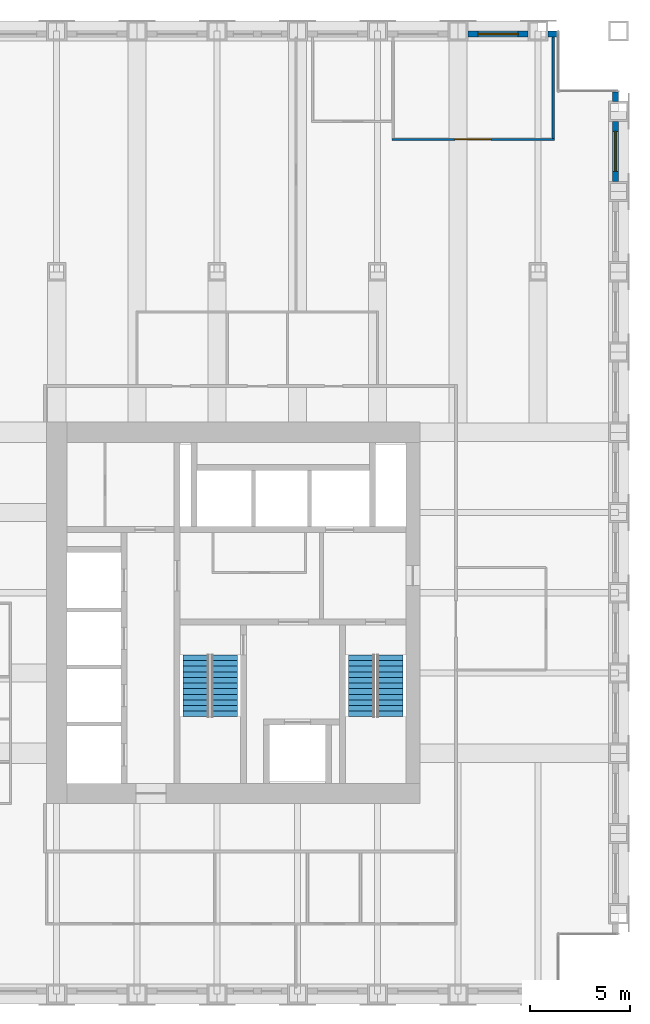
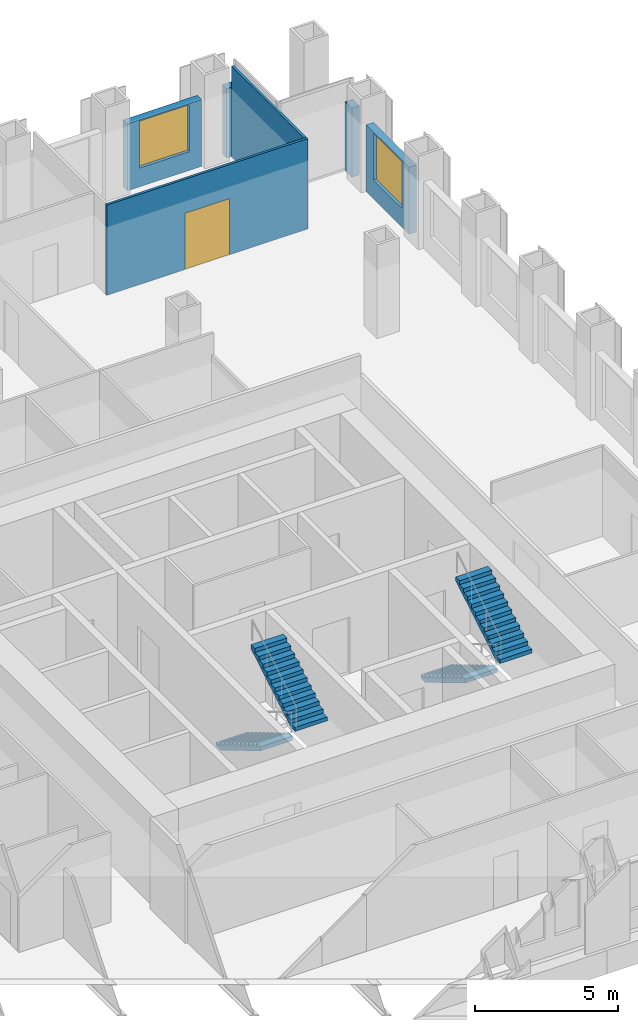
# One storey, part 12 of 13: 6 walls, 4 stair flights, 2 windows, 1 door, 3 openings, 2 elements without a shape of their own.
"""IFC4 building model written with IfcOpenShell, lengths in metres."""

import ifcopenshell
import ifcopenshell.guid

model = None  # the IFC model being written
_history = None  # IfcOwnerHistory: only IFC2X3 demands one
_inside = {}  # id of a spatial element -> (the spatial element, [elements in it])
_under = {}  # id of a project, library or spatial element -> (it, [spatial elements below it])
_declared = {}  # id of a project -> (the project, [libraries it declares])
_typed = {}  # id of a type object -> (the type object, [elements of that type])
_made_of = {}  # id of a material, layer set ... -> (it, [elements and type objects made of it])


def new_model(schema):
    """Start an empty IFC model of exactly this schema.

    Asked for "IFC4X3", IfcOpenShell would pick the latest addendum, in which some entities
    have other attributes; the version numbers below select the first issue.
    IFC2X3 requires an IfcOwnerHistory on every rooted entity: one is made here for all.
    """
    global model, _history
    if schema == "IFC4X3":
        model = ifcopenshell.file(schema_version=(4, 3, 0, 0))
    else:
        model = ifcopenshell.file(schema=schema)
    _inside.clear()
    _under.clear()
    _declared.clear()
    _typed.clear()
    _made_of.clear()
    _history = None
    if model.schema == "IFC2X3":
        org = make("IfcOrganization", Name="unknown")
        user = make(
            "IfcPersonAndOrganization",
            ThePerson=make("IfcPerson", FamilyName="unknown"),
            TheOrganization=org,
        )
        app = make(
            "IfcApplication",
            ApplicationDeveloper=org,
            Version="unknown",
            ApplicationFullName="unknown",
            ApplicationIdentifier="unknown",
        )
        _history = make(
            "IfcOwnerHistory",
            OwningUser=user,
            OwningApplication=app,
            ChangeAction="ADDED",
            CreationDate=0,
        )
    return model


def make(cls, **values):
    """One entity of the class cls with the attributes given. An attribute that is None is left unset."""
    return model.create_entity(
        cls, **{name: value for name, value in values.items() if value is not None}
    )


def rooted(cls, **values):
    """An entity with a GlobalId (a new one), such as an element, a storey or a relation."""
    return make(cls, GlobalId=ifcopenshell.guid.new(), OwnerHistory=_history, **values)


def si_unit(unit_type, name, prefix=None):
    """IfcSIUnit, for example si_unit("LENGTHUNIT", "METRE", prefix="MILLI")."""
    return make("IfcSIUnit", UnitType=unit_type, Prefix=prefix, Name=name)


def assignment(units):
    """IfcUnitAssignment: the units of a project."""
    return None if units is None else make("IfcUnitAssignment", Units=units)


def point(xyz):
    """IfcCartesianPoint."""
    return None if xyz is None else make("IfcCartesianPoint", Coordinates=xyz)


def direction(xyz):
    """IfcDirection."""
    return None if xyz is None else make("IfcDirection", DirectionRatios=xyz)


def frame(location, z_axis=None, x_axis=None):
    """IfcAxis2Placement3D, a coordinate frame: its origin and axes. An axis left out is left unset."""
    return make(
        "IfcAxis2Placement3D",
        Location=point(location),
        Axis=direction(z_axis),
        RefDirection=direction(x_axis),
    )


def frame_2d(location, x_axis=None):
    """IfcAxis2Placement2D, a coordinate frame in the plane: its origin and x axis."""
    return make(
        "IfcAxis2Placement2D", Location=point(location), RefDirection=direction(x_axis)
    )


def origin():
    """The frame at (0, 0, 0) with its axes left unset."""
    return frame((0.0, 0.0, 0.0))


def place(relative_to, where):
    """IfcLocalPlacement: puts the frame where relative to a parent placement (None: the world)."""
    return make(
        "IfcLocalPlacement", PlacementRelTo=relative_to, RelativePlacement=where
    )


def context(
    kind, dimensions, precision=None, world=None, true_north=None, identifier=None
):
    """IfcGeometricRepresentationContext, for example the 3D "Model" context."""
    return make(
        "IfcGeometricRepresentationContext",
        ContextIdentifier=identifier,
        ContextType=kind,
        CoordinateSpaceDimension=dimensions,
        Precision=precision,
        WorldCoordinateSystem=world,
        TrueNorth=true_north,
    )


def subcontext(parent, identifier, kind, view, scale=None):
    """IfcGeometricRepresentationSubContext, for example "Body" below "Model"."""
    return make(
        "IfcGeometricRepresentationSubContext",
        ContextIdentifier=identifier,
        ContextType=kind,
        ParentContext=parent,
        TargetScale=scale,
        TargetView=view,
    )


def project(units=None, contexts=None):
    """IfcProject with its units and contexts."""
    return rooted(
        "IfcProject",
        Name="project",
        RepresentationContexts=contexts,
        UnitsInContext=assignment(units),
    )


def spatial(cls, under=None, at=None, **own):
    """A site, building, storey or space (cls), placed at a placement, below another one or the project."""
    s = rooted(cls, ObjectPlacement=at, **own)
    if under is not None:
        _under.setdefault(under.id(), (under, []))[1].append(s)
    return s


def polyline(points):
    """IfcPolyline through the points."""
    return make("IfcPolyline", Points=[point(p) for p in points])


def profile(cls, at=None, kind="AREA", **sizes):
    """A parametric profile (cls). Its sizes go by their IFC names, for example OverallWidth=200.0."""
    return make(cls, ProfileType=kind, Position=at, **sizes)


def rectangle(**sizes):
    """IfcRectangleProfileDef."""
    return profile("IfcRectangleProfileDef", **sizes)


def outline(outer, holes=None, kind="AREA"):
    """IfcArbitraryClosedProfileDef: a profile drawn as a closed curve; with holes, ...WithVoids."""
    if holes is None:
        return make("IfcArbitraryClosedProfileDef", ProfileType=kind, OuterCurve=outer)
    return make(
        "IfcArbitraryProfileDefWithVoids",
        ProfileType=kind,
        OuterCurve=outer,
        InnerCurves=holes,
    )


def extrude(swept, where, along, depth):
    """IfcExtrudedAreaSolid: the profile swept, set in the frame where, extruded along a direction by depth."""
    return make(
        "IfcExtrudedAreaSolid",
        SweptArea=swept,
        Position=where,
        ExtrudedDirection=direction(along),
        Depth=depth,
    )


def shape(context_of_items, identifier, shape_type, items):
    """IfcShapeRepresentation: the items that make up one representation, for example the "Body"."""
    return make(
        "IfcShapeRepresentation",
        ContextOfItems=context_of_items,
        RepresentationIdentifier=identifier,
        RepresentationType=shape_type,
        Items=items,
    )


def material(Name=None, Category=None):
    """IfcMaterial."""
    return make("IfcMaterial", Name=Name, Category=Category)


def layer(
    of_material, thickness, ventilated=None, Name=None, Category=None, Priority=None
):
    """IfcMaterialLayer: one layer of a wall or slab, of a material (None: an air gap)."""
    return make(
        "IfcMaterialLayer",
        Material=of_material,
        LayerThickness=thickness,
        IsVentilated=ventilated,
        Name=Name,
        Category=Category,
        Priority=Priority,
    )


def layer_set(layers, Name=None):
    """IfcMaterialLayerSet."""
    return make("IfcMaterialLayerSet", MaterialLayers=layers, LayerSetName=Name)


def made_of(thing, what):
    """Note that an element or type object is made of a material, layer set ...; save() writes the relation."""
    if what is not None:
        _made_of.setdefault(what.id(), (what, []))[1].append(thing)
    return thing


def type_object(cls, material=None, **own):
    """A type object (cls), such as IfcWallType, which elements share."""
    return made_of(rooted(cls, **own), material)


def element(
    cls,
    number,
    at=None,
    inside=None,
    cuts=None,
    type_object=None,
    material=None,
    context=None,
    identifier="Body",
    shape_type=None,
    held_by="IfcProductDefinitionShape",
    body=None,
    shapes=None,
    **own,
):
    """One element of the class cls, such as IfcWall. Its Tag is "e" and its number.

    at: its placement. inside: the storey or other place that contains it. cuts: it is an
    opening in that element (IfcRelVoidsElement). A single representation is given by context,
    identifier, shape_type and body (its items); several are given by shapes. held_by: the class
    of the entity that holds the representations. save() writes the other relations.
    """
    e = rooted(cls, Tag="e%d" % number, ObjectPlacement=at, **own)
    if body is not None:
        shapes = [shape(context, identifier, shape_type, body)]
    if shapes is not None:
        e.Representation = make(held_by, Representations=shapes)
    if inside is not None:
        _inside.setdefault(inside.id(), (inside, []))[1].append(e)
    if cuts is not None:
        rooted(
            "IfcRelVoidsElement", RelatingBuildingElement=cuts, RelatedOpeningElement=e
        )
    if type_object is not None:
        _typed.setdefault(type_object.id(), (type_object, []))[1].append(e)
    return made_of(e, material)


def fill(opening, filler):
    """IfcRelFillsElement: the door or window that sits in an opening."""
    return rooted(
        "IfcRelFillsElement",
        RelatingOpeningElement=opening,
        RelatedBuildingElement=filler,
    )


def aggregate(whole, parts):
    """IfcRelAggregates: a whole, such as a stair, and the parts it consists of."""
    return rooted("IfcRelAggregates", RelatingObject=whole, RelatedObjects=parts)


def save(model, path):
    """Write the relations noted so far, then the file.

    IfcRelAggregates (storeys below a building ...), IfcRelContainedInSpatialStructure (elements
    in a storey), IfcRelDefinesByType, IfcRelAssociatesMaterial and IfcRelDeclares: one each for
    every whole, place, type object, material and project.
    """
    for whole, parts in _under.values():
        aggregate(whole, parts)
    for where, things in _inside.values():
        rooted(
            "IfcRelContainedInSpatialStructure",
            RelatedElements=things,
            RelatingStructure=where,
        )
    for kind, things in _typed.values():
        rooted("IfcRelDefinesByType", RelatedObjects=things, RelatingType=kind)
    for what, things in _made_of.values():
        rooted("IfcRelAssociatesMaterial", RelatedObjects=things, RelatingMaterial=what)
    for by, libraries in _declared.values():
        rooted("IfcRelDeclares", RelatingContext=by, RelatedDefinitions=libraries)
    model.write(path)


model = new_model("IFC4")

# Units and contexts
model_context = context("Model", 3, precision=1e-05, world=origin(), true_north=direction((0.0, 1.0)))
body_context = subcontext(model_context, "Body", "Model", "MODEL_VIEW")
ifc_project = project(units=[si_unit("LENGTHUNIT", "METRE"), si_unit("AREAUNIT", "SQUARE_METRE"), si_unit("VOLUMEUNIT", "CUBIC_METRE"), si_unit("PLANEANGLEUNIT", "RADIAN"), si_unit("MASSUNIT", "GRAM", prefix="KILO")], contexts=[model_context])

# Site, building, storey
site_placement = place(None, origin())
site = spatial("IfcSite", under=ifc_project, at=site_placement, CompositionType="ELEMENT")
building_placement = place(site_placement, origin())
building = spatial("IfcBuilding", under=site, at=building_placement, Name="Rimbunsela Tower", CompositionType="ELEMENT")
storey_placement = place(building_placement, frame((0.0, 0.0, 187.800048828125)))
storey = spatial("IfcBuildingStorey", under=building, at=storey_placement, Name="L45", CompositionType="ELEMENT", Elevation=187.800048828125)

# Wall, opening, door
ifc_material_1 = material(Name="Gypsum board on steel studs", Category="steel")
ifc_layer_1 = layer(ifc_material_1, 0.10009765625)
ifc_layer_set_1 = layer_set([ifc_layer_1], Name="Office partition 100")
wall_type_1 = type_object("IfcWallType", Name="Office partition 100", PredefinedType="PARTITIONING", material=ifc_layer_set_1)
wall_1_placement = place(storey_placement, frame((34.699951171875, 50.60009765625, 0.0), z_axis=(0.0, 0.0, 1.0), x_axis=(1.0, 0.0, 0.0)))
wall_1 = element("IfcWall", 1, at=wall_1_placement, inside=storey, type_object=wall_type_1, Name="Office partition", PredefinedType="PARTITIONING", context=body_context, shape_type="SweptSolid", body=[
    extrude(rectangle(XDim=8.10009765625, YDim=0.10009765625, at=frame_2d((4.050048828125, 0.0))), origin(), (0.0, 0.0, 1.0), 3.849853515625),
])
opening_1_placement = place(wall_1_placement, frame((3.14990234375, 0.0, 0.0)))
opening_1 = element("IfcOpeningElement", 2, at=opening_1_placement, cuts=wall_1, Name="Opening D18", PredefinedType="OPENING", context=body_context, shape_type="SweptSolid", body=[
    extrude(rectangle(XDim=1.800048828125, YDim=2.39990234375, at=frame_2d((0.89990234375, 1.199951171875))), frame((0.0, 0.06005859375, 0.0), z_axis=(0.0, -1.0, 0.0), x_axis=(1.0, 0.0, 0.0)), (0.0, 0.0, 1.0), 0.1201171875),
])
ifc_material_2 = material(Name="Glazed aluminium door", Category="aluminium")
door_type = type_object("IfcDoorType", Name="Boardroom door 1800 glazed", OperationType="DOUBLE_DOOR_DOUBLE_SWING", PredefinedType="DOOR", material=ifc_material_2)
door_placement = place(opening_1_placement, origin())
door = element("IfcDoor", 3, at=door_placement, inside=storey, type_object=door_type, Name="Boardroom door", OperationType="DOUBLE_DOOR_DOUBLE_SWING", OverallHeight=2.39990234375, OverallWidth=1.800048828125, PredefinedType="DOOR", context=body_context, shape_type="SweptSolid", body=[
    extrude(rectangle(XDim=1.800048828125, YDim=2.39990234375, at=frame_2d((0.89990234375, 1.199951171875))), frame((0.0, 0.02490234375, 0.0), z_axis=(0.0, -1.0, 0.0), x_axis=(1.0, 0.0, 0.0)), (0.0, 0.0, 1.0), 0.050048828125),
])
fill(opening_1, door)

# Wall
wall_2_placement = place(storey_placement, frame((42.75, 50.64990234375, 0.0), z_axis=(0.0, 0.0, 1.0), x_axis=(0.0, 1.0, 0.0)))
element("IfcWall", 4, at=wall_2_placement, inside=storey, type_object=wall_type_1, Name="Office partition", PredefinedType="PARTITIONING", context=body_context, shape_type="SweptSolid", body=[
    extrude(rectangle(XDim=5.050048828125, YDim=0.10009765625, at=frame_2d((2.52490234375, 0.0))), origin(), (0.0, 0.0, 1.0), 3.849853515625),
])

# Wall, opening, window
ifc_material_3 = material(Name="Precast concrete fc' 35 MPa", Category="concrete")
ifc_layer_2 = layer(ifc_material_3, 0.300048828125)
ifc_layer_set_2 = layer_set([ifc_layer_2], Name="Precast concrete fc' 35 MPa")
wall_type_2 = type_object("IfcWallType", Name="Precast facade panel 300", PredefinedType="ELEMENTEDWALL", material=ifc_layer_set_2)
wall_3_placement = place(storey_placement, frame((45.85009765625, 48.5, 0.0), z_axis=(0.0, 0.0, 1.0), x_axis=(0.0, 1.0, 0.0)))
wall_3 = element("IfcWall", 5, at=wall_3_placement, inside=storey, type_object=wall_type_2, Name="Facade panel E L45", PredefinedType="ELEMENTEDWALL", context=body_context, shape_type="SweptSolid", body=[
    extrude(rectangle(XDim=3.0, YDim=0.300048828125, at=frame_2d((1.5, 0.0))), origin(), (0.0, 0.0, 1.0), 2.849853515625),
])
opening_2_placement = place(wall_3_placement, frame((0.5, 0.0, 0.800048828125)))
opening_2 = element("IfcOpeningElement", 6, at=opening_2_placement, cuts=wall_3, Name="Opening W1", PredefinedType="OPENING", context=body_context, shape_type="SweptSolid", body=[
    extrude(rectangle(XDim=2.0, YDim=2.0, at=frame_2d((1.0, 1.0))), frame((0.0, 0.159912109375, 0.0), z_axis=(0.0, -1.0, 0.0), x_axis=(1.0, 0.0, 0.0)), (0.0, 0.0, 1.0), 0.320068359375),
])
ifc_material_4 = material(Name="Clear glass in aluminium frame", Category="aluminium")
window_type = type_object("IfcWindowType", Name="Window W1 2000x2000", PartitioningType="DOUBLE_PANEL_VERTICAL", PredefinedType="WINDOW", material=ifc_material_4)
window_1_placement = place(opening_2_placement, origin())
window_1 = element("IfcWindow", 7, at=window_1_placement, inside=storey, type_object=window_type, Name="Window L45", OverallHeight=2.0, OverallWidth=2.0, PartitioningType="SINGLE_PANEL", PredefinedType="WINDOW", context=body_context, shape_type="SweptSolid", body=[
    extrude(rectangle(XDim=2.0, YDim=2.0, at=frame_2d((1.0, 1.0))), frame((0.0, 0.030029296875, 0.0), z_axis=(0.0, -1.0, 0.0), x_axis=(1.0, 0.0, 0.0)), (0.0, 0.0, 1.0), 0.06005859375),
])
fill(opening_2, window_1)

# Wall
wall_4_placement = place(storey_placement, frame((45.85009765625, 52.5, 0.0), z_axis=(0.0, 0.0, 1.0), x_axis=(0.0, 1.0, 0.0)))
element("IfcWall", 8, at=wall_4_placement, inside=storey, type_object=wall_type_2, Name="Facade panel E L45", PredefinedType="ELEMENTEDWALL", context=body_context, shape_type="SweptSolid", body=[
    extrude(rectangle(XDim=0.469970703125, YDim=0.300048828125, at=frame_2d((0.23486328125, 0.0))), origin(), (0.0, 0.0, 1.0), 2.949951171875),
])

# Wall, opening, window
wall_5_placement = place(storey_placement, frame((41.5, 55.85009765625, 0.0), z_axis=(0.0, 0.0, 1.0), x_axis=(-1.0, 0.0, 0.0)))
wall_5 = element("IfcWall", 9, at=wall_5_placement, inside=storey, type_object=wall_type_2, Name="Facade panel N L45", PredefinedType="ELEMENTEDWALL", context=body_context, shape_type="SweptSolid", body=[
    extrude(rectangle(XDim=3.0, YDim=0.300048828125, at=frame_2d((1.5, 0.0))), origin(), (0.0, 0.0, 1.0), 2.849853515625),
])
opening_3_placement = place(wall_5_placement, frame((0.5, 0.0, 0.800048828125)))
opening_3 = element("IfcOpeningElement", 10, at=opening_3_placement, cuts=wall_5, Name="Opening W1", PredefinedType="OPENING", context=body_context, shape_type="SweptSolid", body=[
    extrude(rectangle(XDim=2.0, YDim=2.0, at=frame_2d((1.0, 1.0))), frame((0.0, 0.159912109375, 0.0), z_axis=(0.0, -1.0, 0.0), x_axis=(1.0, 0.0, 0.0)), (0.0, 0.0, 1.0), 0.320068359375),
])
window_2_placement = place(opening_3_placement, origin())
window_2 = element("IfcWindow", 11, at=window_2_placement, inside=storey, type_object=window_type, Name="Window L45", OverallHeight=2.0, OverallWidth=2.0, PartitioningType="SINGLE_PANEL", PredefinedType="WINDOW", context=body_context, shape_type="SweptSolid", body=[
    extrude(rectangle(XDim=2.0, YDim=2.0, at=frame_2d((1.0, 1.0))), frame((0.0, 0.030029296875, 0.0), z_axis=(0.0, -1.0, 0.0), x_axis=(1.0, 0.0, 0.0)), (0.0, 0.0, 1.0), 0.06005859375),
])
fill(opening_3, window_2)

# Wall
wall_6_placement = place(storey_placement, frame((42.969970703125, 55.85009765625, 0.0), z_axis=(0.0, 0.0, 1.0), x_axis=(-1.0, 0.0, 0.0)))
element("IfcWall", 12, at=wall_6_placement, inside=storey, type_object=wall_type_2, Name="Facade panel N L45", PredefinedType="ELEMENTEDWALL", context=body_context, shape_type="SweptSolid", body=[
    extrude(rectangle(XDim=0.469970703125, YDim=0.300048828125, at=frame_2d((0.23486328125, 0.0))), origin(), (0.0, 0.0, 1.0), 2.949951171875),
])

# Stair, stair flights
ifc_material_5 = material(Name="Concrete fc' 35 MPa", Category="concrete")
stair_type = type_object("IfcStairType", Name="Exit stair 24 risers", PredefinedType="HALF_TURN_STAIR", material=ifc_material_5)
stair_1_placement = place(storey_placement, origin())
stair_1 = element("IfcStair", 13, at=stair_1_placement, inside=storey, type_object=stair_type, Name="Exit stair A L45", PredefinedType="HALF_TURN_STAIR")
ifc_material_6 = material(Name="Concrete fc' 35 MPa", Category="concrete")
stair_flight_type = type_object("IfcStairFlightType", Name="Stair flight 12 risers 167", PredefinedType="STRAIGHT", material=ifc_material_6)
stair_flight_1_placement = place(storey_placement, frame((24.949951171875, 24.89990234375, 0.0), z_axis=(0.0, 0.0, 1.0), x_axis=(0.0, -1.0, 0.0)))
stair_flight_1 = element("IfcStairFlight", 14, at=stair_flight_1_placement, type_object=stair_flight_type, Name="ST-A flight 1", NumberOfRisers=12, NumberOfTreads=11, PredefinedType="STRAIGHT", RiserHeight=0.166666667, TreadLength=0.28, context=body_context, shape_type="SweptSolid", body=[
    extrude(outline(polyline([(0.0, 0.0), (0.0, 0.166748046875), (0.280029296875, 0.166748046875), (0.280029296875, 0.333251953125), (0.56005859375, 0.333251953125), (0.56005859375, 0.5), (0.840087890625, 0.5), (0.840087890625, 0.666748046875), (1.1201171875, 0.666748046875), (1.1201171875, 0.833251953125), (1.39990234375, 0.833251953125), (1.39990234375, 1.0), (1.679931640625, 1.0), (1.679931640625, 1.166748046875), (1.9599609375, 1.166748046875), (1.9599609375, 1.333251953125), (2.239990234375, 1.333251953125), (2.239990234375, 1.5), (2.52001953125, 1.5), (2.52001953125, 1.666748046875), (2.800048828125, 1.666748046875), (2.800048828125, 1.833251953125), (3.080078125, 1.833251953125), (3.080078125, 2.0), (3.080078125, 1.658935546875), (0.29296875, 0.0), (0.0, 0.0)])), frame((0.0, 0.64990234375, 0.0), z_axis=(0.0, -1.0, 0.0), x_axis=(1.0, 0.0, 0.0)), (0.0, 0.0, 1.0), 1.300048828125),
])
stair_flight_2_placement = place(storey_placement, frame((26.35009765625, 21.820068359375, 2.0), z_axis=(0.0, 0.0, 1.0), x_axis=(0.0, 1.0, 0.0)))
stair_flight_2 = element("IfcStairFlight", 15, at=stair_flight_2_placement, type_object=stair_flight_type, Name="ST-A flight 2", NumberOfRisers=12, NumberOfTreads=11, PredefinedType="STRAIGHT", RiserHeight=0.166666667, TreadLength=0.28, context=body_context, shape_type="SweptSolid", body=[
    extrude(outline(polyline([(0.0, 0.0), (0.0, 0.166748046875), (0.280029296875, 0.166748046875), (0.280029296875, 0.333251953125), (0.56005859375, 0.333251953125), (0.56005859375, 0.5), (0.840087890625, 0.5), (0.840087890625, 0.666748046875), (1.1201171875, 0.666748046875), (1.1201171875, 0.833251953125), (1.39990234375, 0.833251953125), (1.39990234375, 1.0), (1.679931640625, 1.0), (1.679931640625, 1.166748046875), (1.9599609375, 1.166748046875), (1.9599609375, 1.333251953125), (2.239990234375, 1.333251953125), (2.239990234375, 1.5), (2.52001953125, 1.5), (2.52001953125, 1.666748046875), (2.800048828125, 1.666748046875), (2.800048828125, 1.833251953125), (3.080078125, 1.833251953125), (3.080078125, 2.0), (3.080078125, 1.658935546875), (0.29296875, 0.0), (0.0, 0.0)])), frame((0.0, 0.64990234375, 0.0), z_axis=(0.0, -1.0, 0.0), x_axis=(1.0, 0.0, 0.0)), (0.0, 0.0, 1.0), 1.300048828125),
])
aggregate(stair_1, [stair_flight_1, stair_flight_2])

stair_2_placement = place(storey_placement, origin())
stair_2 = element("IfcStair", 16, at=stair_2_placement, inside=storey, type_object=stair_type, Name="Exit stair B L45", PredefinedType="HALF_TURN_STAIR")
stair_flight_3_placement = place(storey_placement, frame((33.199951171875, 24.89990234375, 0.0), z_axis=(0.0, 0.0, 1.0), x_axis=(0.0, -1.0, 0.0)))
stair_flight_3 = element("IfcStairFlight", 17, at=stair_flight_3_placement, type_object=stair_flight_type, Name="ST-B flight 1", NumberOfRisers=12, NumberOfTreads=11, PredefinedType="STRAIGHT", RiserHeight=0.166666667, TreadLength=0.28, context=body_context, shape_type="SweptSolid", body=[
    extrude(outline(polyline([(0.0, 0.0), (0.0, 0.166748046875), (0.280029296875, 0.166748046875), (0.280029296875, 0.333251953125), (0.56005859375, 0.333251953125), (0.56005859375, 0.5), (0.840087890625, 0.5), (0.840087890625, 0.666748046875), (1.1201171875, 0.666748046875), (1.1201171875, 0.833251953125), (1.39990234375, 0.833251953125), (1.39990234375, 1.0), (1.679931640625, 1.0), (1.679931640625, 1.166748046875), (1.9599609375, 1.166748046875), (1.9599609375, 1.333251953125), (2.239990234375, 1.333251953125), (2.239990234375, 1.5), (2.52001953125, 1.5), (2.52001953125, 1.666748046875), (2.800048828125, 1.666748046875), (2.800048828125, 1.833251953125), (3.080078125, 1.833251953125), (3.080078125, 2.0), (3.080078125, 1.658935546875), (0.29296875, 0.0), (0.0, 0.0)])), frame((0.0, 0.64990234375, 0.0), z_axis=(0.0, -1.0, 0.0), x_axis=(1.0, 0.0, 0.0)), (0.0, 0.0, 1.0), 1.300048828125),
])
stair_flight_4_placement = place(storey_placement, frame((34.60009765625, 21.820068359375, 2.0), z_axis=(0.0, 0.0, 1.0), x_axis=(0.0, 1.0, 0.0)))
stair_flight_4 = element("IfcStairFlight", 18, at=stair_flight_4_placement, type_object=stair_flight_type, Name="ST-B flight 2", NumberOfRisers=12, NumberOfTreads=11, PredefinedType="STRAIGHT", RiserHeight=0.166666667, TreadLength=0.28, context=body_context, shape_type="SweptSolid", body=[
    extrude(outline(polyline([(0.0, 0.0), (0.0, 0.166748046875), (0.280029296875, 0.166748046875), (0.280029296875, 0.333251953125), (0.56005859375, 0.333251953125), (0.56005859375, 0.5), (0.840087890625, 0.5), (0.840087890625, 0.666748046875), (1.1201171875, 0.666748046875), (1.1201171875, 0.833251953125), (1.39990234375, 0.833251953125), (1.39990234375, 1.0), (1.679931640625, 1.0), (1.679931640625, 1.166748046875), (1.9599609375, 1.166748046875), (1.9599609375, 1.333251953125), (2.239990234375, 1.333251953125), (2.239990234375, 1.5), (2.52001953125, 1.5), (2.52001953125, 1.666748046875), (2.800048828125, 1.666748046875), (2.800048828125, 1.833251953125), (3.080078125, 1.833251953125), (3.080078125, 2.0), (3.080078125, 1.658935546875), (0.29296875, 0.0), (0.0, 0.0)])), frame((0.0, 0.64990234375, 0.0), z_axis=(0.0, -1.0, 0.0), x_axis=(1.0, 0.0, 0.0)), (0.0, 0.0, 1.0), 1.300048828125),
])
aggregate(stair_2, [stair_flight_3, stair_flight_4])

save(model, "model.ifc")
